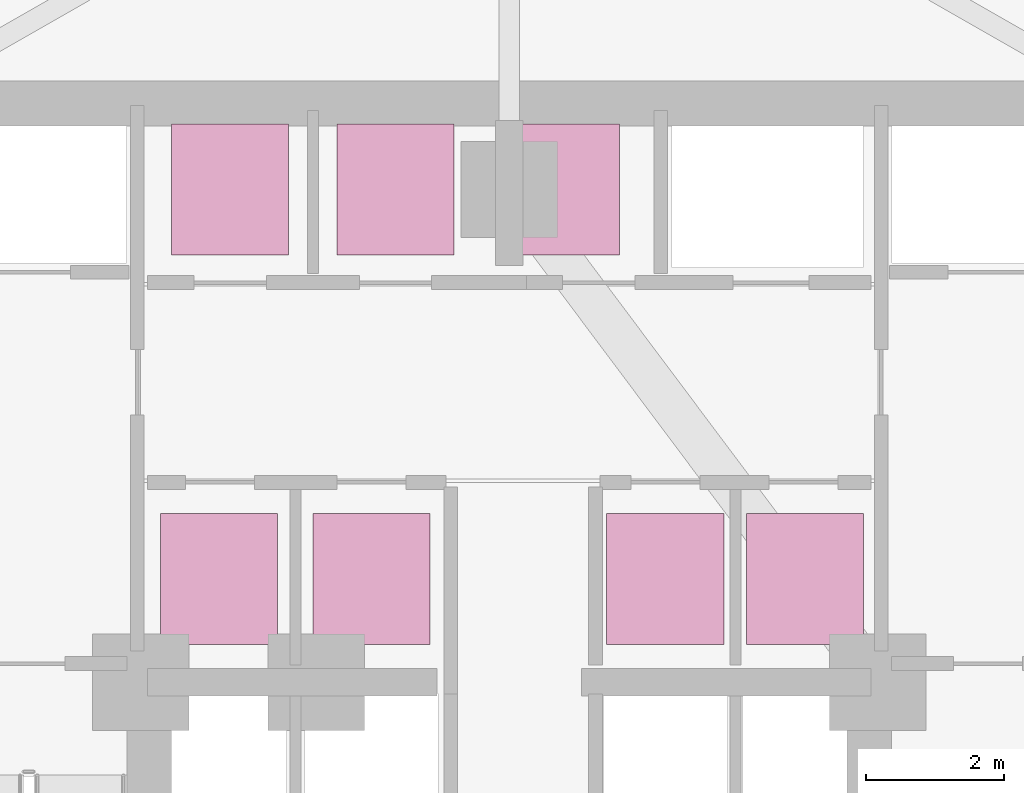
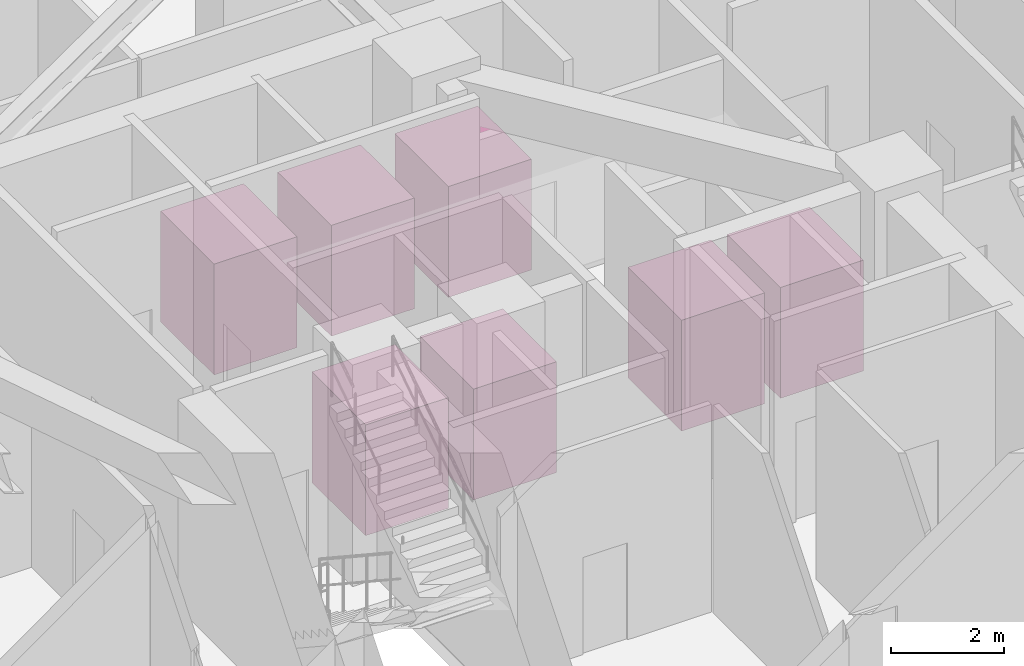
# One storey, part 32 of 32: 7 transport elements.
"""IFC4 building model written with IfcOpenShell, lengths in metres."""

from ifc_helpers import new_model, si_unit, direction, frame, origin, origin_2d, place, context, subcontext, project, spatial, rectangle, extrude, material, type_object, element, save


model = new_model("IFC4")

# Units and contexts
model_context = context("Model", 3, precision=1e-05, world=origin(), true_north=direction((0.0, 1.0)))
body_context = subcontext(model_context, "Body", "Model", "MODEL_VIEW")
ifc_project = project(units=[si_unit("LENGTHUNIT", "METRE"), si_unit("AREAUNIT", "SQUARE_METRE"), si_unit("VOLUMEUNIT", "CUBIC_METRE"), si_unit("PLANEANGLEUNIT", "RADIAN"), si_unit("MASSUNIT", "GRAM", prefix="KILO")], contexts=[model_context])

# Site, building, storey
site_placement = place(None, origin())
site = spatial("IfcSite", under=ifc_project, at=site_placement, CompositionType="ELEMENT")
building_placement = place(site_placement, origin())
building = spatial("IfcBuilding", under=site, at=building_placement, Name="Miruveldt Soraemaru", CompositionType="ELEMENT")
storey_placement = place(building_placement, origin())
storey = spatial("IfcBuildingStorey", under=building, at=storey_placement, Name="L01", CompositionType="ELEMENT", Elevation=0.0)

# Transport elements
ifc_material = material(Name="Anodised aluminium EN AW-6063 T6", Category="aluminium")
transport_element_type = type_object("IfcTransportElementType", Name="LIFT-CAR-MIDH", PredefinedType="ELEVATOR", material=ifc_material)
for number, where, z_axis, x_axis, name in (
    (1, (39.7900390625, 45.550048828125, 0.0), (0.0, 0.0, 1.0), (1.0, 0.0, 0.0), "Elevator Car PL-M1"),
    (2, (42.0, 45.550048828125, 0.0), (0.0, 0.0, 1.0), (1.0, 0.0, 0.0), "Elevator Car PL-M2"),
    (3, (46.264892578125, 45.550048828125, 0.0), (0.0, 0.0, 1.0), (1.0, 0.0, 0.0), "Elevator Car PL-M3"),
    (4, (48.2900390625, 45.550048828125, 0.0), (0.0, 0.0, 1.0), (1.0, 0.0, 0.0), "Elevator Car PL-M4"),
    (5, (39.949951171875, 51.199951171875, 0.0), (0.0, 0.0, 1.0), (1.0, 0.0, 0.0), "Elevator Car PL-H1"),
    (6, (42.35009765625, 51.199951171875, 0.0), (0.0, 0.0, 1.0), (1.0, 0.0, 0.0), "Elevator Car PL-H2"),
    (7, (44.75, 51.199951171875, 0.0), (0.0, 0.0, 1.0), (1.0, 0.0, 0.0), "Elevator Car PL-H3"),
):
    element("IfcTransportElement", number, at=place(storey_placement, frame(where, z_axis=z_axis, x_axis=x_axis)), inside=storey, type_object=transport_element_type, Name=name, PredefinedType="ELEVATOR", context=body_context, shape_type="SweptSolid", body=[
        extrude(rectangle(XDim=1.699951171875, YDim=1.89990234375, at=origin_2d()), origin(), (0.0, 0.0, 1.0), 2.39990234375),
    ])

save(model, "model.ifc")
